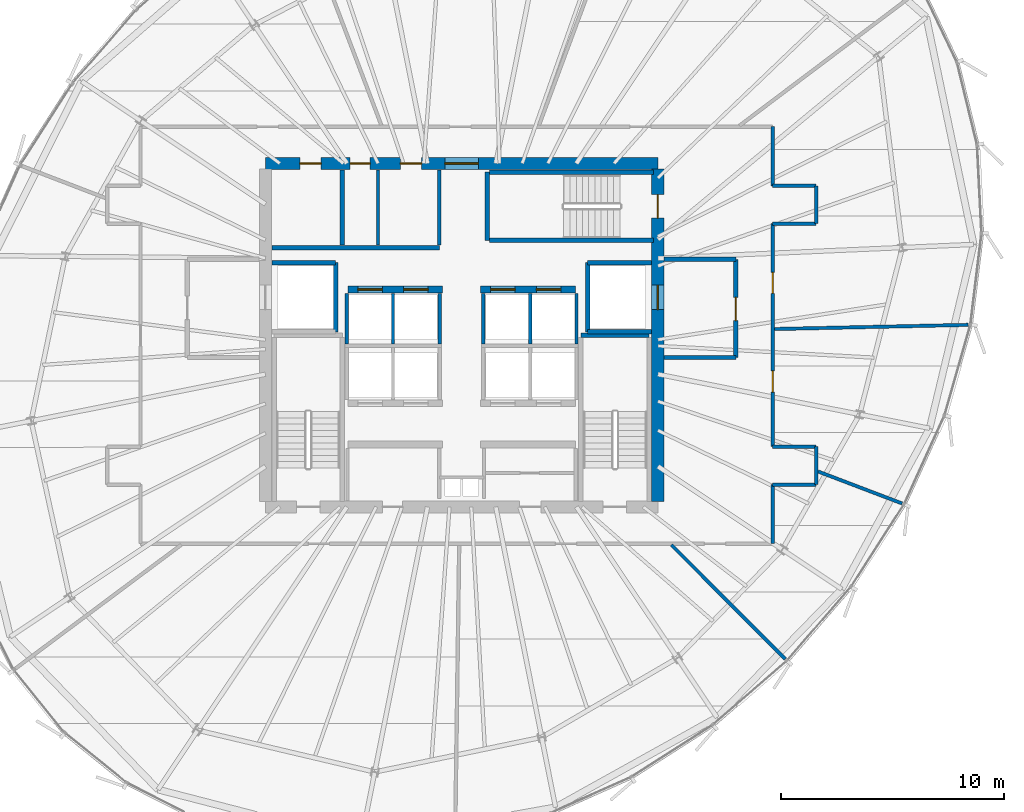
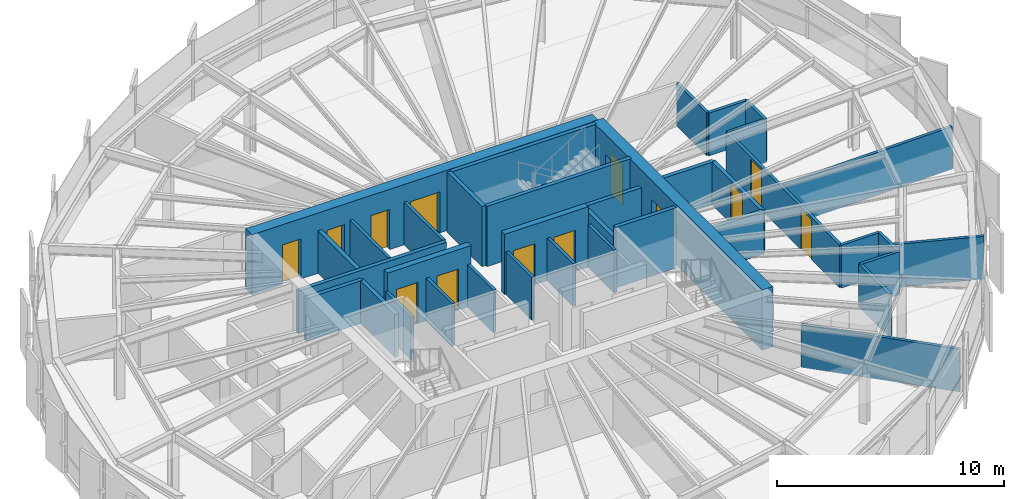
# One storey, part 30 of 34: 38 walls, 13 doors, 13 openings.
"""IFC4 building model written with IfcOpenShell, lengths in metres."""

from ifc_helpers import new_model, si_unit, direction, frame, frame_2d, origin, place, context, subcontext, project, spatial, rectangle, extrude, source, transform, mapped, material, layer, layer_set, type_object, element, fill, save


model = new_model("IFC4")

# Units and contexts
model_context = context("Model", 3, precision=1e-05, world=origin(), true_north=direction((0.0, 1.0)))
body_context = subcontext(model_context, "Body", "Model", "MODEL_VIEW")
ifc_project = project(units=[si_unit("LENGTHUNIT", "METRE"), si_unit("AREAUNIT", "SQUARE_METRE"), si_unit("VOLUMEUNIT", "CUBIC_METRE"), si_unit("PLANEANGLEUNIT", "RADIAN"), si_unit("MASSUNIT", "GRAM", prefix="KILO"), si_unit("THERMODYNAMICTEMPERATUREUNIT", "KELVIN")], contexts=[model_context])

# Site, building, storey
site_placement = place(None, origin())
site = spatial("IfcSite", under=ifc_project, at=site_placement, CompositionType="ELEMENT")
building_placement = place(site_placement, origin())
building = spatial("IfcBuilding", under=site, at=building_placement, Name="Kethvar Cultural Tower", CompositionType="ELEMENT")
storey_placement = place(building_placement, frame((0.0, 0.0, 214.89990234375)))
storey = spatial("IfcBuildingStorey", under=building, at=storey_placement, Name="L56", CompositionType="ELEMENT", Elevation=214.89990234375)

# Wall, openings, doors
ifc_material_1 = material(Name="Concrete C60/75", Category="concrete")
ifc_layer_1 = layer(ifc_material_1, 0.550048828125, Name="Concrete C60/75", Category="concrete")
ifc_layer_set_1 = layer_set([ifc_layer_1], Name="Concrete C60/75 (550 mm)")
wall_type_1 = type_object("IfcWallType", Name="WL-CORE-550", PredefinedType="SHEAR", material=ifc_layer_set_1)
wall_1_placement = place(storey_placement, frame((55.60009765625, 35.5, 0.0), z_axis=(0.0, 0.0, 1.0), x_axis=(-1.0, 0.0, 0.0)))
wall_1 = element("IfcWall", 1, at=wall_1_placement, inside=storey, type_object=wall_type_1, Name="L56 Core Shear Wall N", PredefinedType="SHEAR", context=body_context, shape_type="SweptSolid", body=[
    extrude(rectangle(XDim=17.60009765625, YDim=0.550048828125, at=frame_2d((8.800048828125, 0.0))), origin(), (0.0, 0.0, 1.0), 3.239990234375),
])
opening_1_placement = place(wall_1_placement, frame((8.050048828125, 0.0, 0.0)))
opening_1 = element("IfcOpeningElement", 2, at=opening_1_placement, cuts=wall_1, Name="Opening D-L56-LN", PredefinedType="OPENING", context=body_context, shape_type="SweptSolid", body=[
    extrude(rectangle(XDim=1.5, YDim=2.199951171875, at=frame_2d((0.75, 1.10009765625))), frame((0.0, 0.284912109375, 0.0), z_axis=(0.0, -1.0, 0.0), x_axis=(1.0, 0.0, 0.0)), (0.0, 0.0, 1.0), 0.570068359375),
])
opening_2_placement = place(wall_1_placement, frame((15.10009765625, 0.0, 0.0)))
opening_2 = element("IfcOpeningElement", 3, at=opening_2_placement, cuts=wall_1, Name="Opening D-L56-E1", PredefinedType="OPENING", context=body_context, shape_type="SweptSolid", body=[
    extrude(rectangle(XDim=0.949951171875, YDim=2.14990234375, at=frame_2d((0.47509765625, 1.074951171875))), frame((0.0, 0.284912109375, 0.0), z_axis=(0.0, -1.0, 0.0), x_axis=(1.0, 0.0, 0.0)), (0.0, 0.0, 1.0), 0.570068359375),
])
opening_3_placement = place(wall_1_placement, frame((12.89990234375, 0.0, 0.0)))
opening_3 = element("IfcOpeningElement", 4, at=opening_3_placement, cuts=wall_1, Name="Opening D-L56-W1", PredefinedType="OPENING", context=body_context, shape_type="SweptSolid", body=[
    extrude(rectangle(XDim=0.89990234375, YDim=2.14990234375, at=frame_2d((0.449951171875, 1.074951171875))), frame((0.0, 0.284912109375, 0.0), z_axis=(0.0, -1.0, 0.0), x_axis=(1.0, 0.0, 0.0)), (0.0, 0.0, 1.0), 0.570068359375),
])
opening_4_placement = place(wall_1_placement, frame((10.60009765625, 0.0, 0.0)))
opening_4 = element("IfcOpeningElement", 5, at=opening_4_placement, cuts=wall_1, Name="Opening D-L56-W2", PredefinedType="OPENING", context=body_context, shape_type="SweptSolid", body=[
    extrude(rectangle(XDim=0.949951171875, YDim=2.14990234375, at=frame_2d((0.47509765625, 1.074951171875))), frame((0.0, 0.284912109375, 0.0), z_axis=(0.0, -1.0, 0.0), x_axis=(1.0, 0.0, 0.0)), (0.0, 0.0, 1.0), 0.570068359375),
])
ifc_material_2 = material(Name="Architectural Oak Timber", Category="wood")
door_type_1 = type_object("IfcDoorType", Name="DR-DBL-FD60-1500", OperationType="DOUBLE_DOOR_SINGLE_SWING", PredefinedType="DOOR", material=ifc_material_2)
shared_shape_1 = source(origin(), body_context, "Body", "SweptSolid", [
    extrude(rectangle(XDim=1.5, YDim=2.199951171875, at=frame_2d((0.75, 1.10009765625))), frame((0.0, 0.02490234375, 0.0), z_axis=(0.0, -1.0, 0.0), x_axis=(1.0, 0.0, 0.0)), (0.0, 0.0, 1.0), 0.050048828125),
])
door_1_placement = place(opening_1_placement, origin())
door_1 = element("IfcDoor", 6, at=door_1_placement, inside=storey, type_object=door_type_1, Name="L56 Lift Lobby Concourse Door", OperationType="DOUBLE_DOOR_SINGLE_SWING", OverallHeight=2.199951171875, OverallWidth=1.5, PredefinedType="DOOR", context=body_context, shape_type="MappedRepresentation", body=[
    mapped(shared_shape_1, transform((0.0, 0.0, 0.0), scale=1.0)),
])
fill(opening_1, door_1)
door_type_2 = type_object("IfcDoorType", Name="DR-FD30-950", OperationType="NOTDEFINED", PredefinedType="DOOR", material=ifc_material_2)
shared_shape_2 = source(origin(), body_context, "Body", "SweptSolid", [
    extrude(rectangle(XDim=0.949951171875, YDim=2.14990234375, at=frame_2d((0.47509765625, 1.074951171875))), frame((0.0, 0.02490234375, 0.0), z_axis=(0.0, -1.0, 0.0), x_axis=(1.0, 0.0, 0.0)), (0.0, 0.0, 1.0), 0.050048828125),
])
door_2_placement = place(opening_2_placement, origin())
door_2 = element("IfcDoor", 7, at=door_2_placement, inside=storey, type_object=door_type_2, Name="L56 Electrical Switchgear Door", OperationType="SINGLE_SWING_RIGHT", OverallHeight=2.14990234375, OverallWidth=0.949951171875, PredefinedType="DOOR", context=body_context, shape_type="MappedRepresentation", body=[
    mapped(shared_shape_2, transform((0.0, 0.0, 0.0), scale=1.0)),
])
fill(opening_2, door_2)
door_3_placement = place(opening_4_placement, origin())
door_3 = element("IfcDoor", 8, at=door_3_placement, inside=storey, type_object=door_type_2, Name="L56 Public Washroom Door", OperationType="SINGLE_SWING_RIGHT", OverallHeight=2.14990234375, OverallWidth=0.949951171875, PredefinedType="DOOR", context=body_context, shape_type="MappedRepresentation", body=[
    mapped(shared_shape_2, transform((0.0, 0.0, 0.0), scale=1.0)),
])
fill(opening_4, door_3)
door_type_3 = type_object("IfcDoorType", Name="DR-FD30-900", OperationType="NOTDEFINED", PredefinedType="DOOR", material=ifc_material_2)
shared_shape_3 = source(origin(), body_context, "Body", "SweptSolid", [
    extrude(rectangle(XDim=0.89990234375, YDim=2.14990234375, at=frame_2d((0.449951171875, 1.074951171875))), frame((0.0, 0.02490234375, 0.0), z_axis=(0.0, -1.0, 0.0), x_axis=(1.0, 0.0, 0.0)), (0.0, 0.0, 1.0), 0.050048828125),
])
door_4_placement = place(opening_3_placement, origin())
door_4 = element("IfcDoor", 9, at=door_4_placement, inside=storey, type_object=door_type_3, Name="L56 Accessible Washroom Door", OperationType="SINGLE_SWING_LEFT", OverallHeight=2.14990234375, OverallWidth=0.89990234375, PredefinedType="DOOR", context=body_context, shape_type="MappedRepresentation", body=[
    mapped(shared_shape_3, transform((0.0, 0.0, 0.0), scale=1.0)),
])
fill(opening_3, door_4)

wall_2_placement = place(storey_placement, frame((55.60009765625, 20.340087890625, 0.0), z_axis=(0.0, 0.0, 1.0), x_axis=(0.0, 1.0, 0.0)))
wall_2 = element("IfcWall", 10, at=wall_2_placement, inside=storey, type_object=wall_type_1, Name="L56 Core Shear Wall E", PredefinedType="SHEAR", context=body_context, shape_type="SweptSolid", body=[
    extrude(rectangle(XDim=14.919921875, YDim=0.550048828125, at=frame_2d((7.4599609375, 0.0))), origin(), (0.0, 0.0, 1.0), 3.239990234375),
])
opening_5_placement = place(wall_2_placement, frame((12.7099609375, 0.0, 0.0)))
opening_5 = element("IfcOpeningElement", 11, at=opening_5_placement, cuts=wall_2, Name="Opening D-L56-S3", PredefinedType="OPENING", context=body_context, shape_type="SweptSolid", body=[
    extrude(rectangle(XDim=1.050048828125, YDim=2.14990234375, at=frame_2d((0.52490234375, 1.074951171875))), frame((0.0, 0.284912109375, 0.0), z_axis=(0.0, -1.0, 0.0), x_axis=(1.0, 0.0, 0.0)), (0.0, 0.0, 1.0), 0.570068359375),
])
opening_6_placement = place(wall_2_placement, frame((8.610107421875, 0.0, 0.0)))
opening_6 = element("IfcOpeningElement", 12, at=opening_6_placement, cuts=wall_2, Name="Opening LD-2", PredefinedType="OPENING", context=body_context, shape_type="SweptSolid", body=[
    extrude(rectangle(XDim=1.10009765625, YDim=2.199951171875, at=frame_2d((0.550048828125, 1.10009765625))), frame((0.0, 0.284912109375, 0.0), z_axis=(0.0, -1.0, 0.0), x_axis=(1.0, 0.0, 0.0)), (0.0, 0.0, 1.0), 0.570068359375),
])
ifc_material_3 = material(Name="Steel S355J2", Category="steel")
door_type_4 = type_object("IfcDoorType", Name="DR-FD60-1050", OperationType="NOTDEFINED", PredefinedType="DOOR", material=ifc_material_3)
shared_shape_4 = source(origin(), body_context, "Body", "SweptSolid", [
    extrude(rectangle(XDim=1.050048828125, YDim=2.14990234375, at=frame_2d((0.52490234375, 1.074951171875))), frame((0.0, 0.02490234375, 0.0), z_axis=(0.0, -1.0, 0.0), x_axis=(1.0, 0.0, 0.0)), (0.0, 0.0, 1.0), 0.050048828125),
])
door_5_placement = place(opening_5_placement, origin())
door_5 = element("IfcDoor", 13, at=door_5_placement, inside=storey, type_object=door_type_4, Name="L56 Exit Stair 3 Door", OperationType="SINGLE_SWING_LEFT", OverallHeight=2.14990234375, OverallWidth=1.050048828125, PredefinedType="DOOR", context=body_context, shape_type="MappedRepresentation", body=[
    mapped(shared_shape_4, transform((0.0, 0.0, 0.0), scale=1.0)),
])
fill(opening_5, door_5)
door_type_5 = type_object("IfcDoorType", Name="DR-LIFT-SLIDE-1100", OperationType="NOTDEFINED", PredefinedType="DOOR", material=ifc_material_3)
shared_shape_5 = source(origin(), body_context, "Body", "SweptSolid", [
    extrude(rectangle(XDim=1.10009765625, YDim=2.199951171875, at=frame_2d((0.550048828125, 1.10009765625))), frame((0.0, 0.02490234375, 0.0), z_axis=(0.0, -1.0, 0.0), x_axis=(1.0, 0.0, 0.0)), (0.0, 0.0, 1.0), 0.050048828125),
])
door_6_placement = place(opening_6_placement, origin())
door_6 = element("IfcDoor", 14, at=door_6_placement, inside=storey, type_object=door_type_5, Name="L56 Firefighting Lift Landing Door FFL-02", OperationType="SLIDING_TO_RIGHT", OverallHeight=2.199951171875, OverallWidth=1.10009765625, PredefinedType="DOOR", context=body_context, shape_type="MappedRepresentation", body=[
    mapped(shared_shape_5, transform((0.0, 0.0, 0.0), scale=1.0)),
])
fill(opening_6, door_6)

# Walls
ifc_material_4 = material(Name="Gypsum Fireboard Partition")
ifc_layer_2 = layer(ifc_material_4, 0.14990234375, Name="Gypsum Fireboard Partition")
ifc_layer_set_2 = layer_set([ifc_layer_2], Name="Gypsum Fireboard Partition (150 mm)")
wall_type_2 = type_object("IfcWallType", Name="WL-FIRE-150", PredefinedType="PARTITIONING", material=ifc_layer_set_2)
for number, where, z_axis, x_axis, name in (
    (15, (41.64990234375, 27.409912109375, 0.0), (0.0, 0.0, 1.0), (0.0, 1.0, 0.0), "L56 High-Rise Lift Shaft Outer Wall W"),
    (16, (43.72509765625, 27.409912109375, 0.0), (0.0, 0.0, 1.0), (0.0, 1.0, 0.0), "L56 High-Rise Lift Shaft Divider W"),
    (17, (45.824951171875, 27.409912109375, 0.0), (0.0, 0.0, 1.0), (0.0, 1.0, 0.0), "L56 High-Rise Lift Shaft Concourse Wall W"),
    (18, (47.77490234375, 27.409912109375, 0.0), (0.0, 0.0, 1.0), (0.0, 1.0, 0.0), "L56 High-Rise Lift Shaft Concourse Wall E"),
    (19, (49.875, 27.409912109375, 0.0), (0.0, 0.0, 1.0), (0.0, 1.0, 0.0), "L56 High-Rise Lift Shaft Divider E"),
    (20, (51.949951171875, 27.409912109375, 0.0), (0.0, 0.0, 1.0), (0.0, 1.0, 0.0), "L56 High-Rise Lift Shaft Outer Wall E"),
):
    element("IfcWall", number, at=place(storey_placement, frame(where, z_axis=z_axis, x_axis=x_axis)), inside=storey, type_object=wall_type_2, Name=name, PredefinedType="PARTITIONING", context=body_context, shape_type="SweptSolid", body=[
        extrude(rectangle(XDim=2.27001953125, YDim=0.14990234375, at=frame_2d((1.135009765625, 0.0))), origin(), (0.0, 0.0, 1.0), 2.295166015625),
    ])
wall_3_placement = place(storey_placement, frame((45.800048828125, 31.85009765625, 0.0), z_axis=(0.0, 0.0, 1.0), x_axis=(0.0, 1.0, 0.0)))
element("IfcWall", 21, at=wall_3_placement, inside=storey, type_object=wall_type_2, Name="L56 Sanitary Spine Wall", PredefinedType="PARTITIONING", context=body_context, shape_type="SweptSolid", body=[
    extrude(rectangle(XDim=3.364990234375, YDim=0.14990234375, at=frame_2d((1.6826171875, 0.0))), origin(), (0.0, 0.0, 1.0), 2.295166015625),
])
wall_4_placement = place(storey_placement, frame((60.75, 18.449951171875, 0.0), z_axis=(0.0, 0.0, 1.0), x_axis=(0.0, 1.0, 0.0)))
element("IfcWall", 22, at=wall_4_placement, inside=storey, type_object=wall_type_2, Name="L56 Corridor Rated Wall E1", PredefinedType="PARTITIONING", context=body_context, shape_type="SweptSolid", body=[
    extrude(rectangle(XDim=2.650146484375, YDim=0.14990234375, at=frame_2d((1.3251953125, 0.0))), origin(), (0.0, 0.0, 1.0), 2.295166015625),
])
wall_5_placement = place(storey_placement, frame((60.75, 21.10009765625, 0.0), z_axis=(0.0, 0.0, 1.0), x_axis=(1.0, 0.0, 0.0)))
element("IfcWall", 23, at=wall_5_placement, inside=storey, type_object=wall_type_2, Name="L56 Corridor Rated Wall ESB", PredefinedType="PARTITIONING", context=body_context, shape_type="SweptSolid", body=[
    extrude(rectangle(XDim=1.949951171875, YDim=0.14990234375, at=frame_2d((0.97509765625, 0.0))), origin(), (0.0, 0.0, 1.0), 2.295166015625),
])
wall_6_placement = place(storey_placement, frame((62.699951171875, 21.10009765625, 0.0), z_axis=(0.0, 0.0, 1.0), x_axis=(0.0, 1.0, 0.0)))
element("IfcWall", 24, at=wall_6_placement, inside=storey, type_object=wall_type_2, Name="L56 Corridor Rated Wall ES", PredefinedType="PARTITIONING", context=body_context, shape_type="SweptSolid", body=[
    extrude(rectangle(XDim=1.699951171875, YDim=0.14990234375, at=frame_2d((0.85009765625, 0.0))), origin(), (0.0, 0.0, 1.0), 2.295166015625),
])
wall_7_placement = place(storey_placement, frame((62.699951171875, 22.800048828125, 0.0), z_axis=(0.0, 0.0, 1.0), x_axis=(-1.0, 0.0, 0.0)))
element("IfcWall", 25, at=wall_7_placement, inside=storey, type_object=wall_type_2, Name="L56 Corridor Rated Wall EST", PredefinedType="PARTITIONING", context=body_context, shape_type="SweptSolid", body=[
    extrude(rectangle(XDim=1.949951171875, YDim=0.14990234375, at=frame_2d((0.97509765625, 0.0))), origin(), (0.0, 0.0, 1.0), 2.295166015625),
])

# Wall, openings, doors
wall_8_placement = place(storey_placement, frame((60.75, 22.800048828125, 0.0), z_axis=(0.0, 0.0, 1.0), x_axis=(0.0, 1.0, 0.0)))
wall_8 = element("IfcWall", 26, at=wall_8_placement, inside=storey, type_object=wall_type_2, Name="L56 Corridor Rated Wall EM", PredefinedType="PARTITIONING", context=body_context, shape_type="SweptSolid", body=[
    extrude(rectangle(XDim=10.0, YDim=0.14990234375, at=frame_2d((5.0, 0.0))), origin(), (0.0, 0.0, 1.0), 2.295166015625),
])
opening_7_placement = place(wall_8_placement, frame((2.45263671875, 0.0, 0.0)))
opening_7 = element("IfcOpeningElement", 27, at=opening_7_placement, cuts=wall_8, Name="Opening D-L56-04", PredefinedType="OPENING", context=body_context, shape_type="SweptSolid", body=[
    extrude(rectangle(XDim=0.949951171875, YDim=2.14990234375, at=frame_2d((0.47509765625, 1.074951171875))), frame((0.0, 0.0849609375, 0.0), z_axis=(0.0, -1.0, 0.0), x_axis=(1.0, 0.0, 0.0)), (0.0, 0.0, 1.0), 0.169921875),
])
opening_8_placement = place(wall_8_placement, frame((6.872802734375, 0.0, 0.0)))
opening_8 = element("IfcOpeningElement", 28, at=opening_8_placement, cuts=wall_8, Name="Opening D-L56-05", PredefinedType="OPENING", context=body_context, shape_type="SweptSolid", body=[
    extrude(rectangle(XDim=0.949951171875, YDim=2.14990234375, at=frame_2d((0.47509765625, 1.074951171875))), frame((0.0, 0.0849609375, 0.0), z_axis=(0.0, -1.0, 0.0), x_axis=(1.0, 0.0, 0.0)), (0.0, 0.0, 1.0), 0.169921875),
])
door_7_placement = place(opening_7_placement, origin())
door_7 = element("IfcDoor", 29, at=door_7_placement, inside=storey, type_object=door_type_2, Name="L56 Concourse Visitor Foyer 04 Door", OperationType="SINGLE_SWING_RIGHT", OverallHeight=2.14990234375, OverallWidth=0.949951171875, PredefinedType="DOOR", context=body_context, shape_type="MappedRepresentation", body=[
    mapped(shared_shape_2, transform((0.0, 0.0, 0.0), scale=1.0)),
])
fill(opening_7, door_7)
door_8_placement = place(opening_8_placement, origin())
door_8 = element("IfcDoor", 30, at=door_8_placement, inside=storey, type_object=door_type_2, Name="L56 Patron Reception 05 Door", OperationType="SINGLE_SWING_LEFT", OverallHeight=2.14990234375, OverallWidth=0.949951171875, PredefinedType="DOOR", context=body_context, shape_type="MappedRepresentation", body=[
    mapped(shared_shape_2, transform((0.0, 0.0, 0.0), scale=1.0)),
])
fill(opening_8, door_8)

# Walls
wall_9_placement = place(storey_placement, frame((60.75, 32.800048828125, 0.0), z_axis=(0.0, 0.0, 1.0), x_axis=(1.0, 0.0, 0.0)))
element("IfcWall", 31, at=wall_9_placement, inside=storey, type_object=wall_type_2, Name="L56 Corridor Rated Wall ENB", PredefinedType="PARTITIONING", context=body_context, shape_type="SweptSolid", body=[
    extrude(rectangle(XDim=1.949951171875, YDim=0.14990234375, at=frame_2d((0.97509765625, 0.0))), origin(), (0.0, 0.0, 1.0), 2.295166015625),
])
wall_10_placement = place(storey_placement, frame((62.699951171875, 32.800048828125, 0.0), z_axis=(0.0, 0.0, 1.0), x_axis=(0.0, 1.0, 0.0)))
element("IfcWall", 32, at=wall_10_placement, inside=storey, type_object=wall_type_2, Name="L56 Corridor Rated Wall EN", PredefinedType="PARTITIONING", context=body_context, shape_type="SweptSolid", body=[
    extrude(rectangle(XDim=1.699951171875, YDim=0.14990234375, at=frame_2d((0.85009765625, 0.0))), origin(), (0.0, 0.0, 1.0), 2.295166015625),
])
wall_11_placement = place(storey_placement, frame((62.699951171875, 34.5, 0.0), z_axis=(0.0, 0.0, 1.0), x_axis=(-1.0, 0.0, 0.0)))
element("IfcWall", 33, at=wall_11_placement, inside=storey, type_object=wall_type_2, Name="L56 Corridor Rated Wall ENT", PredefinedType="PARTITIONING", context=body_context, shape_type="SweptSolid", body=[
    extrude(rectangle(XDim=1.949951171875, YDim=0.14990234375, at=frame_2d((0.97509765625, 0.0))), origin(), (0.0, 0.0, 1.0), 2.295166015625),
])
wall_12_placement = place(storey_placement, frame((60.75, 34.5, 0.0), z_axis=(0.0, 0.0, 1.0), x_axis=(0.0, 1.0, 0.0)))
element("IfcWall", 34, at=wall_12_placement, inside=storey, type_object=wall_type_2, Name="L56 Corridor Rated Wall E2", PredefinedType="PARTITIONING", context=body_context, shape_type="SweptSolid", body=[
    extrude(rectangle(XDim=2.64990234375, YDim=0.14990234375, at=frame_2d((1.324951171875, 0.0))), origin(), (0.0, 0.0, 1.0), 2.295166015625),
])
ifc_material_5 = material(Name="Concrete C40/50", Category="concrete")
ifc_layer_3 = layer(ifc_material_5, 0.199951171875, Name="Concrete C40/50", Category="concrete")
ifc_layer_set_3 = layer_set([ifc_layer_3], Name="Concrete C40/50 (200 mm)")
wall_type_3 = type_object("IfcWallType", Name="WL-FIRE-200", PredefinedType="PARTITIONING", material=ifc_layer_set_3)
wall_13_placement = place(storey_placement, frame((41.14990234375, 27.949951171875, 0.0), z_axis=(0.0, 0.0, 1.0), x_axis=(0.0, 1.0, 0.0)))
element("IfcWall", 35, at=wall_13_placement, inside=storey, type_object=wall_type_3, Name="L56 FFL-01 Shaft Inner Wall", PredefinedType="PARTITIONING", context=body_context, shape_type="SweptSolid", body=[
    extrude(rectangle(XDim=3.10009765625, YDim=0.199951171875, at=frame_2d((1.550048828125, 0.0))), origin(), (0.0, 0.0, 1.0), 2.295166015625),
])
wall_14_placement = place(storey_placement, frame((38.284912109375, 31.050048828125, 0.0), z_axis=(0.0, 0.0, 1.0), x_axis=(1.0, 0.0, 0.0)))
element("IfcWall", 36, at=wall_14_placement, inside=storey, type_object=wall_type_3, Name="L56 FFL-01 Shaft North Wall", PredefinedType="PARTITIONING", context=body_context, shape_type="SweptSolid", body=[
    extrude(rectangle(XDim=2.864990234375, YDim=0.199951171875, at=frame_2d((1.4326171875, 0.0))), origin(), (0.0, 0.0, 1.0), 2.295166015625),
])
wall_15_placement = place(storey_placement, frame((52.449951171875, 27.949951171875, 0.0), z_axis=(0.0, 0.0, 1.0), x_axis=(0.0, 1.0, 0.0)))
element("IfcWall", 37, at=wall_15_placement, inside=storey, type_object=wall_type_3, Name="L56 FFL-02 Shaft Inner Wall", PredefinedType="PARTITIONING", context=body_context, shape_type="SweptSolid", body=[
    extrude(rectangle(XDim=3.10009765625, YDim=0.199951171875, at=frame_2d((1.550048828125, 0.0))), origin(), (0.0, 0.0, 1.0), 2.295166015625),
])
for number, where, z_axis, x_axis, name in (
    (38, (52.449951171875, 27.949951171875, 0.0), (0.0, 0.0, 1.0), (1.0, 0.0, 0.0), "L56 FFL-02 Shaft South Wall"),
    (39, (52.449951171875, 31.050048828125, 0.0), (0.0, 0.0, 1.0), (1.0, 0.0, 0.0), "L56 FFL-02 Shaft North Wall"),
):
    element("IfcWall", number, at=place(storey_placement, frame(where, z_axis=z_axis, x_axis=x_axis)), inside=storey, type_object=wall_type_3, Name=name, PredefinedType="PARTITIONING", context=body_context, shape_type="SweptSolid", body=[
        extrude(rectangle(XDim=2.864990234375, YDim=0.199951171875, at=frame_2d((1.4326171875, 0.0))), origin(), (0.0, 0.0, 1.0), 2.295166015625),
    ])

# Wall, opening, door
wall_16_placement = place(storey_placement, frame((59.10009765625, 26.800048828125, 0.0), z_axis=(0.0, 0.0, 1.0), x_axis=(0.0, 1.0, 0.0)))
wall_16 = element("IfcWall", 40, at=wall_16_placement, inside=storey, type_object=wall_type_3, Name="L56 Firefighting Lobby 2 Wall", PredefinedType="PARTITIONING", context=body_context, shape_type="SweptSolid", body=[
    extrude(rectangle(XDim=4.39990234375, YDim=0.199951171875, at=frame_2d((2.199951171875, 0.0))), origin(), (0.0, 0.0, 1.0), 2.295166015625),
])
opening_9_placement = place(wall_16_placement, frame((1.64990234375, 0.0, 0.0)))
opening_9 = element("IfcOpeningElement", 41, at=opening_9_placement, cuts=wall_16, Name="Opening D-L56-F2", PredefinedType="OPENING", context=body_context, shape_type="SweptSolid", body=[
    extrude(rectangle(XDim=1.050048828125, YDim=2.14990234375, at=frame_2d((0.52490234375, 1.074951171875))), frame((0.0, 0.10986328125, 0.0), z_axis=(0.0, -1.0, 0.0), x_axis=(1.0, 0.0, 0.0)), (0.0, 0.0, 1.0), 0.219970703125),
])
door_9_placement = place(opening_9_placement, origin())
door_9 = element("IfcDoor", 42, at=door_9_placement, inside=storey, type_object=door_type_4, Name="L56 Firefighting Lobby 2 Fire Door", OperationType="SINGLE_SWING_LEFT", OverallHeight=2.14990234375, OverallWidth=1.050048828125, PredefinedType="DOOR", context=body_context, shape_type="MappedRepresentation", body=[
    mapped(shared_shape_4, transform((0.0, 0.0, 0.0), scale=1.0)),
])
fill(opening_9, door_9)

# Walls
for number, where, z_axis, x_axis, name in (
    (43, (55.885009765625, 26.800048828125, 0.0), (0.0, 0.0, 1.0), (1.0, 0.0, 0.0), "L56 FF Lobby 2 South Wall"),
    (44, (55.885009765625, 31.199951171875, 0.0), (0.0, 0.0, 1.0), (1.0, 0.0, 0.0), "L56 FF Lobby 2 North Wall"),
):
    element("IfcWall", number, at=place(storey_placement, frame(where, z_axis=z_axis, x_axis=x_axis)), inside=storey, type_object=wall_type_3, Name=name, PredefinedType="PARTITIONING", context=body_context, shape_type="SweptSolid", body=[
        extrude(rectangle(XDim=3.215087890625, YDim=0.199951171875, at=frame_2d((1.607421875, 0.0))), origin(), (0.0, 0.0, 1.0), 2.295166015625),
    ])
wall_17_placement = place(storey_placement, frame((41.449951171875, 31.85009765625, 0.0), z_axis=(0.0, 0.0, 1.0), x_axis=(0.0, 1.0, 0.0)))
element("IfcWall", 45, at=wall_17_placement, inside=storey, type_object=wall_type_3, Name="L56 NW Core Pocket Wall", PredefinedType="PARTITIONING", context=body_context, shape_type="SweptSolid", body=[
    extrude(rectangle(XDim=3.364990234375, YDim=0.199951171875, at=frame_2d((1.6826171875, 0.0))), origin(), (0.0, 0.0, 1.0), 2.295166015625),
])
wall_18_placement = place(storey_placement, frame((38.284912109375, 31.72998046875, 0.0), z_axis=(0.0, 0.0, 1.0), x_axis=(1.0, 0.0, 0.0)))
element("IfcWall", 46, at=wall_18_placement, inside=storey, type_object=wall_type_3, Name="L56 North Core Sanitary South Wall", PredefinedType="PARTITIONING", context=body_context, shape_type="SweptSolid", body=[
    extrude(rectangle(XDim=7.51513671875, YDim=0.199951171875, at=frame_2d((3.757568359375, 0.0))), origin(), (0.0, 0.0, 1.0), 2.295166015625),
])
ifc_material_6 = material(Name="Gypsum Acoustic Partition")
ifc_layer_4 = layer(ifc_material_6, 0.14990234375, Name="Gypsum Acoustic Partition")
ifc_layer_set_4 = layer_set([ifc_layer_4], Name="Gypsum Acoustic Partition (150 mm)")
wall_type_4 = type_object("IfcWallType", Name="WL-PART-150", PredefinedType="PARTITIONING", material=ifc_layer_set_4)
wall_19_placement = place(storey_placement, frame((56.20654296875, 18.393310546875, 0.0), z_axis=(0.0, 0.0, 1.0), x_axis=(0.706363845215, -0.707848937397, 0.0)))
element("IfcWall", 47, at=wall_19_placement, inside=storey, type_object=wall_type_4, Name="L56 Radial Partition Wall 03", PredefinedType="PARTITIONING", context=body_context, shape_type="SweptSolid", body=[
    extrude(rectangle(XDim=7.2333984375, YDim=0.14990234375, at=frame_2d((3.61669921875, 0.0))), origin(), (0.0, 0.0, 1.0), 2.295166015625),
])
wall_20_placement = place(storey_placement, frame((62.77490234375, 21.69189453125, 0.0), z_axis=(0.0, 0.0, 1.0), x_axis=(0.934616919039, -0.355656034177, 0.0)))
element("IfcWall", 48, at=wall_20_placement, inside=storey, type_object=wall_type_4, Name="L56 Radial Partition Wall 04", PredefinedType="PARTITIONING", context=body_context, shape_type="SweptSolid", body=[
    extrude(rectangle(XDim=4.039794921875, YDim=0.14990234375, at=frame_2d((2.02001953125, 0.0))), origin(), (0.0, 0.0, 1.0), 2.295166015625),
])
wall_21_placement = place(storey_placement, frame((60.830078125, 28.076904296875, 0.0), z_axis=(0.0, 0.0, 1.0), x_axis=(0.999769644029, 0.02146296527, 0.0)))
element("IfcWall", 49, at=wall_21_placement, inside=storey, type_object=wall_type_4, Name="L56 Radial Partition Wall 05", PredefinedType="PARTITIONING", context=body_context, shape_type="SweptSolid", body=[
    extrude(rectangle(XDim=8.6904296875, YDim=0.14990234375, at=frame_2d((4.34521484375, 0.0))), origin(), (0.0, 0.0, 1.0), 2.295166015625),
])
ifc_material_7 = material(Name="Moisture-Resistant Sanitary Chase Wall")
ifc_layer_5 = layer(ifc_material_7, 0.14990234375, Name="Moisture-Resistant Sanitary Chase Wall")
ifc_layer_set_5 = layer_set([ifc_layer_5], Name="Moisture-Resistant Sanitary Chase Wall (150 mm)")
wall_type_5 = type_object("IfcWallType", Name="WL-PLUMB-150", PredefinedType="PLUMBINGWALL", material=ifc_layer_set_5)
wall_22_placement = place(storey_placement, frame((43.050048828125, 31.85009765625, 0.0), z_axis=(0.0, 0.0, 1.0), x_axis=(0.0, 1.0, 0.0)))
element("IfcWall", 50, at=wall_22_placement, inside=storey, type_object=wall_type_5, Name="L56 Sanitary Plumbing Wall", PredefinedType="PLUMBINGWALL", context=body_context, shape_type="SweptSolid", body=[
    extrude(rectangle(XDim=3.364990234375, YDim=0.14990234375, at=frame_2d((1.6826171875, 0.0))), origin(), (0.0, 0.0, 1.0), 2.295166015625),
])

# Wall, openings, doors
ifc_material_8 = material(Name="Concrete C50/60", Category="concrete")
ifc_layer_6 = layer(ifc_material_8, 0.300048828125, Name="Concrete C50/60", Category="concrete")
ifc_layer_set_6 = layer_set([ifc_layer_6], Name="Concrete C50/60 (300 mm)")
wall_type_6 = type_object("IfcWallType", Name="WL-SHAFT-300", PredefinedType="SHEAR", material=ifc_layer_set_6)
wall_23_placement = place(storey_placement, frame((41.699951171875, 29.85009765625, 0.0), z_axis=(0.0, 0.0, 1.0), x_axis=(1.0, 0.0, 0.0)))
wall_23 = element("IfcWall", 51, at=wall_23_placement, inside=storey, type_object=wall_type_6, Name="L56 Core Lift Spine Wall MID3W", PredefinedType="SHEAR", context=body_context, shape_type="SweptSolid", body=[
    extrude(rectangle(XDim=4.25, YDim=0.300048828125, at=frame_2d((2.125, 0.0))), origin(), (0.0, 0.0, 1.0), 3.239990234375),
])
opening_10_placement = place(wall_23_placement, frame((0.449951171875, 0.0, 0.0)))
opening_10 = element("IfcOpeningElement", 52, at=opening_10_placement, cuts=wall_23, Name="Opening LD-H1", PredefinedType="OPENING", context=body_context, shape_type="SweptSolid", body=[
    extrude(rectangle(XDim=1.10009765625, YDim=2.199951171875, at=frame_2d((0.550048828125, 1.10009765625))), frame((0.0, 0.159912109375, 0.0), z_axis=(0.0, -1.0, 0.0), x_axis=(1.0, 0.0, 0.0)), (0.0, 0.0, 1.0), 0.320068359375),
])
opening_11_placement = place(wall_23_placement, frame((2.5, 0.0, 0.0)))
opening_11 = element("IfcOpeningElement", 53, at=opening_11_placement, cuts=wall_23, Name="Opening LD-H2", PredefinedType="OPENING", context=body_context, shape_type="SweptSolid", body=[
    extrude(rectangle(XDim=1.10009765625, YDim=2.199951171875, at=frame_2d((0.550048828125, 1.10009765625))), frame((0.0, 0.159912109375, 0.0), z_axis=(0.0, -1.0, 0.0), x_axis=(1.0, 0.0, 0.0)), (0.0, 0.0, 1.0), 0.320068359375),
])
door_10_placement = place(opening_10_placement, origin())
door_10 = element("IfcDoor", 54, at=door_10_placement, inside=storey, type_object=door_type_5, Name="L56 High-Rise Lift Landing Door H1", OperationType="SLIDING_TO_LEFT", OverallHeight=2.199951171875, OverallWidth=1.10009765625, PredefinedType="DOOR", context=body_context, shape_type="MappedRepresentation", body=[
    mapped(shared_shape_5, transform((0.0, 0.0, 0.0), scale=1.0)),
])
fill(opening_10, door_10)
door_11_placement = place(opening_11_placement, origin())
door_11 = element("IfcDoor", 55, at=door_11_placement, inside=storey, type_object=door_type_5, Name="L56 High-Rise Lift Landing Door H2", OperationType="SLIDING_TO_LEFT", OverallHeight=2.199951171875, OverallWidth=1.10009765625, PredefinedType="DOOR", context=body_context, shape_type="MappedRepresentation", body=[
    mapped(shared_shape_5, transform((0.0, 0.0, 0.0), scale=1.0)),
])
fill(opening_11, door_11)

wall_24_placement = place(storey_placement, frame((47.64990234375, 29.85009765625, 0.0), z_axis=(0.0, 0.0, 1.0), x_axis=(1.0, 0.0, 0.0)))
wall_24 = element("IfcWall", 56, at=wall_24_placement, inside=storey, type_object=wall_type_6, Name="L56 Core Lift Spine Wall MID3E", PredefinedType="SHEAR", context=body_context, shape_type="SweptSolid", body=[
    extrude(rectangle(XDim=4.25, YDim=0.300048828125, at=frame_2d((2.125, 0.0))), origin(), (0.0, 0.0, 1.0), 3.239990234375),
])
opening_12_placement = place(wall_24_placement, frame((0.449951171875, 0.0, 0.0)))
opening_12 = element("IfcOpeningElement", 57, at=opening_12_placement, cuts=wall_24, Name="Opening LD-H3", PredefinedType="OPENING", context=body_context, shape_type="SweptSolid", body=[
    extrude(rectangle(XDim=1.10009765625, YDim=2.199951171875, at=frame_2d((0.550048828125, 1.10009765625))), frame((0.0, 0.159912109375, 0.0), z_axis=(0.0, -1.0, 0.0), x_axis=(1.0, 0.0, 0.0)), (0.0, 0.0, 1.0), 0.320068359375),
])
opening_13_placement = place(wall_24_placement, frame((2.5, 0.0, 0.0)))
opening_13 = element("IfcOpeningElement", 58, at=opening_13_placement, cuts=wall_24, Name="Opening LD-H4", PredefinedType="OPENING", context=body_context, shape_type="SweptSolid", body=[
    extrude(rectangle(XDim=1.10009765625, YDim=2.199951171875, at=frame_2d((0.550048828125, 1.10009765625))), frame((0.0, 0.159912109375, 0.0), z_axis=(0.0, -1.0, 0.0), x_axis=(1.0, 0.0, 0.0)), (0.0, 0.0, 1.0), 0.320068359375),
])
door_12_placement = place(opening_12_placement, origin())
door_12 = element("IfcDoor", 59, at=door_12_placement, inside=storey, type_object=door_type_5, Name="L56 High-Rise Lift Landing Door H3", OperationType="SLIDING_TO_LEFT", OverallHeight=2.199951171875, OverallWidth=1.10009765625, PredefinedType="DOOR", context=body_context, shape_type="MappedRepresentation", body=[
    mapped(shared_shape_5, transform((0.0, 0.0, 0.0), scale=1.0)),
])
fill(opening_12, door_12)
door_13_placement = place(opening_13_placement, origin())
door_13 = element("IfcDoor", 60, at=door_13_placement, inside=storey, type_object=door_type_5, Name="L56 High-Rise Lift Landing Door H4", OperationType="SLIDING_TO_LEFT", OverallHeight=2.199951171875, OverallWidth=1.10009765625, PredefinedType="DOOR", context=body_context, shape_type="MappedRepresentation", body=[
    mapped(shared_shape_5, transform((0.0, 0.0, 0.0), scale=1.0)),
])
fill(opening_13, door_13)

# Walls
ifc_layer_7 = layer(ifc_material_8, 0.199951171875, Name="Concrete C50/60", Category="concrete")
ifc_layer_set_7 = layer_set([ifc_layer_7], Name="Concrete C50/60 (200 mm)")
wall_type_7 = type_object("IfcWallType", Name="WL-STSHAFT-200", PredefinedType="SHEAR", material=ifc_layer_set_7)
for number, where, z_axis, x_axis, name in (
    (61, (52.14990234375, 27.800048828125, 0.0), (0.0, 0.0, 1.0), (1.0, 0.0, 0.0), "L56 ST-02 Stair Shaft Wall FAR"),
    (62, (47.949951171875, 32.050048828125, 0.0), (0.0, 0.0, 1.0), (0.0, 1.0, 0.0), "L56 ST-03 Stair Shaft Wall FAR"),
):
    element("IfcWall", number, at=place(storey_placement, frame(where, z_axis=z_axis, x_axis=x_axis)), inside=storey, type_object=wall_type_7, Name=name, PredefinedType="SHEAR", context=body_context, shape_type="SweptSolid", body=[
        extrude(rectangle(XDim=3.06005859375, YDim=0.199951171875, at=frame_2d((1.530029296875, 0.0))), origin(), (0.0, 0.0, 1.0), 3.239990234375),
    ])
for number, where, z_axis, x_axis, name in (
    (63, (48.050048828125, 35.110107421875, 0.0), (0.0, 0.0, 1.0), (1.0, 0.0, 0.0), "L56 ST-03 Stair Shaft Wall LEFT"),
    (64, (55.39990234375, 32.050048828125, 0.0), (0.0, 0.0, 1.0), (-1.0, 0.0, 0.0), "L56 ST-03 Stair Shaft Wall RIGHT"),
):
    element("IfcWall", number, at=place(storey_placement, frame(where, z_axis=z_axis, x_axis=x_axis)), inside=storey, type_object=wall_type_7, Name=name, PredefinedType="SHEAR", context=body_context, shape_type="SweptSolid", body=[
        extrude(rectangle(XDim=7.349853515625, YDim=0.199951171875, at=frame_2d((3.6748046875, 0.0))), origin(), (0.0, 0.0, 1.0), 3.239990234375),
    ])

save(model, "model.ifc")
